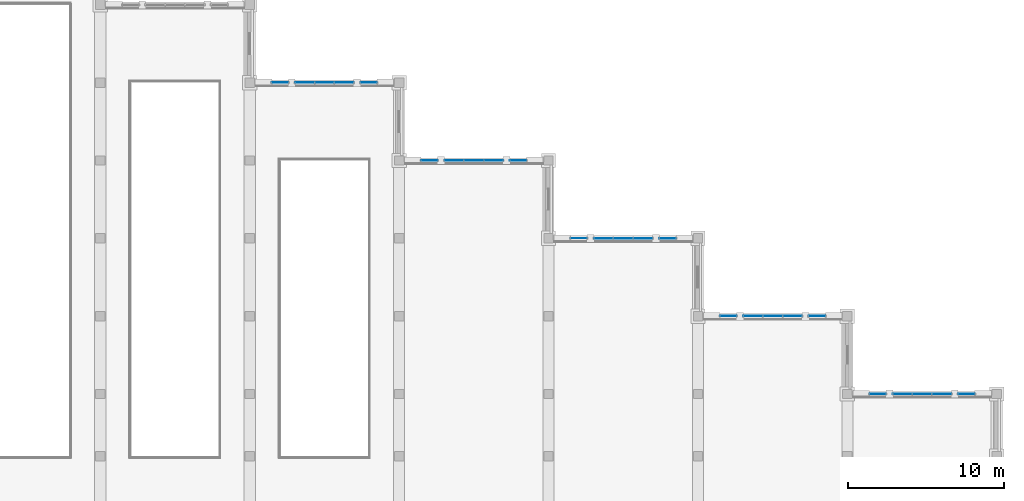
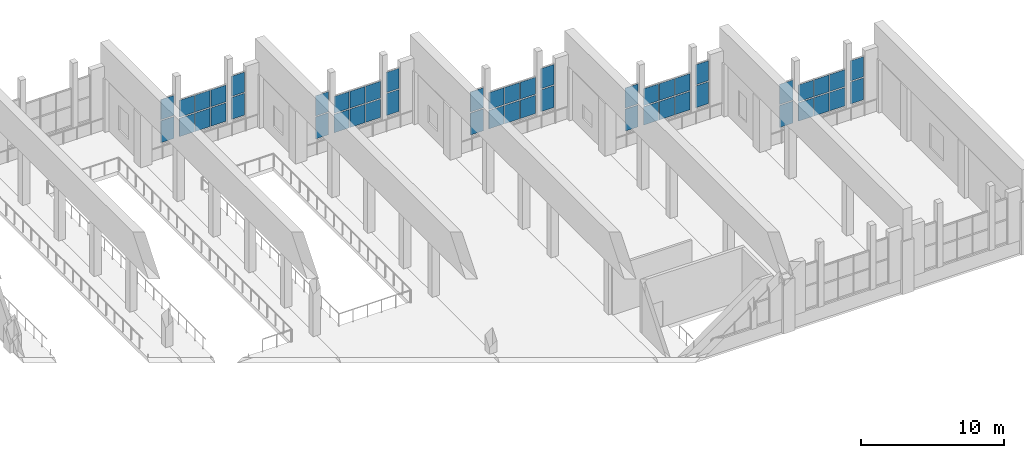
# One storey, part 25 of 46: 50 plates, 15 elements without a shape of their own.
"""IFC4 building model written with IfcOpenShell, lengths in metres."""

from ifc_helpers import new_model, si_unit, direction, frame, origin, origin_2d, place, context, subcontext, project, spatial, rectangle, extrude, material, layer, layer_set, type_object, element, aggregate, save


model = new_model("IFC4")

# Units and contexts
model_context = context("Model", 3, precision=1e-05, world=origin(), true_north=direction((0.0, 1.0)))
body_context = subcontext(model_context, "Body", "Model", "MODEL_VIEW")
ifc_project = project(units=[si_unit("LENGTHUNIT", "METRE"), si_unit("AREAUNIT", "SQUARE_METRE"), si_unit("VOLUMEUNIT", "CUBIC_METRE"), si_unit("PLANEANGLEUNIT", "RADIAN"), si_unit("MASSUNIT", "GRAM", prefix="KILO")], contexts=[model_context])

# Site, building, storey
site_placement = place(None, origin())
site = spatial("IfcSite", under=ifc_project, at=site_placement, CompositionType="ELEMENT")
building_placement = place(site_placement, origin())
building = spatial("IfcBuilding", under=site, at=building_placement, Name="Mavantir Sound Aquarium", CompositionType="ELEMENT")
storey_placement = place(building_placement, frame((0.0, 0.0, 15.300048828125)))
storey = spatial("IfcBuildingStorey", under=building, at=storey_placement, Name="L03", CompositionType="ELEMENT", Elevation=15.300048828125)

# Curtain wall, plates
ifc_material_1 = material(Name="Anodised Marine Aluminium and Low-E Glass", Category="aluminium")
curtain_wall_type_1 = type_object("IfcCurtainWallType", Name="CW-T14", PredefinedType="USERDEFINED", material=ifc_material_1)
curtain_wall_1_placement = place(storey_placement, origin())
curtain_wall_1 = element("IfcCurtainWall", 1, at=curtain_wall_1_placement, inside=storey, type_object=curtain_wall_type_1, Name="L03 unitised curtain wall CW-14 157", ObjectType="UNITISED GLAZING", PredefinedType="USERDEFINED")
ifc_material_2 = material(Name="Solar-Control Laminated Low-E Glass", Category="glass")
ifc_layer_1 = layer(ifc_material_2, 0.028076171875, Name="Solar-Control Laminated Low-E Glass")
ifc_layer_set_1 = layer_set([ifc_layer_1], Name="Solar-Control Laminated Low-E Glass")
plate_type_1 = type_object("IfcPlateType", Name="CW-PNL-28", PredefinedType="CURTAIN_PANEL", material=ifc_layer_set_1)
plate_1_placement = place(storey_placement, frame((129.14990234375, 80.800048828125, 1.222900390625), z_axis=(0.0, 0.0, 1.0), x_axis=(1.0, 0.0, 0.0)))
plate_1 = element("IfcPlate", 2, at=plate_1_placement, type_object=plate_type_1, Name="CW-DIOC-3N-L glazed curtain panel 1.1", PredefinedType="CURTAIN_PANEL", context=body_context, shape_type="SweptSolid", body=[
    extrude(rectangle(XDim=1.052001953125, YDim=0.028076171875, at=origin_2d()), origin(), (0.0, 0.0, 1.0), 1.86669921875),
])
plate_2_placement = place(storey_placement, frame((129.14990234375, 80.800048828125, 3.185546875), z_axis=(0.0, 0.0, 1.0), x_axis=(1.0, 0.0, 0.0)))
plate_2 = element("IfcPlate", 3, at=plate_2_placement, type_object=plate_type_1, Name="CW-DIOC-3N-L glazed curtain panel 1.2", PredefinedType="CURTAIN_PANEL", context=body_context, shape_type="SweptSolid", body=[
    extrude(rectangle(XDim=1.052001953125, YDim=0.028076171875, at=origin_2d()), origin(), (0.0, 0.0, 1.0), 1.71142578125),
])
aggregate(curtain_wall_1, [plate_1, plate_2])

curtain_wall_type_2 = type_object("IfcCurtainWallType", Name="CW-T20", PredefinedType="USERDEFINED", material=ifc_material_1)
curtain_wall_2_placement = place(storey_placement, origin())
curtain_wall_2 = element("IfcCurtainWall", 4, at=curtain_wall_2_placement, inside=storey, type_object=curtain_wall_type_2, Name="L03 unitised curtain wall CW-20 163", ObjectType="UNITISED GLAZING", PredefinedType="USERDEFINED")
plate_3_placement = place(storey_placement, frame((138.75, 75.800048828125, 1.222900390625), z_axis=(0.0, 0.0, 1.0), x_axis=(1.0, 0.0, 0.0)))
plate_3 = element("IfcPlate", 5, at=plate_3_placement, type_object=plate_type_1, Name="CW-DIOC-4N-L glazed curtain panel 1.1", PredefinedType="CURTAIN_PANEL", context=body_context, shape_type="SweptSolid", body=[
    extrude(rectangle(XDim=1.052001953125, YDim=0.028076171875, at=origin_2d()), origin(), (0.0, 0.0, 1.0), 1.86669921875),
])
plate_4_placement = place(storey_placement, frame((138.75, 75.800048828125, 3.185546875), z_axis=(0.0, 0.0, 1.0), x_axis=(1.0, 0.0, 0.0)))
plate_4 = element("IfcPlate", 6, at=plate_4_placement, type_object=plate_type_1, Name="CW-DIOC-4N-L glazed curtain panel 1.2", PredefinedType="CURTAIN_PANEL", context=body_context, shape_type="SweptSolid", body=[
    extrude(rectangle(XDim=1.052001953125, YDim=0.028076171875, at=origin_2d()), origin(), (0.0, 0.0, 1.0), 1.71142578125),
])
aggregate(curtain_wall_2, [plate_3, plate_4])

curtain_wall_type_3 = type_object("IfcCurtainWallType", Name="CW-T02", PredefinedType="USERDEFINED", material=ifc_material_1)
curtain_wall_3_placement = place(storey_placement, origin())
curtain_wall_3 = element("IfcCurtainWall", 7, at=curtain_wall_3_placement, inside=storey, type_object=curtain_wall_type_3, Name="L03 unitised curtain wall CW-02 169", ObjectType="UNITISED GLAZING", PredefinedType="USERDEFINED")
plate_5_placement = place(storey_placement, frame((148.35009765625, 70.800048828125, 1.222900390625), z_axis=(0.0, 0.0, 1.0), x_axis=(1.0, 0.0, 0.0)))
plate_5 = element("IfcPlate", 8, at=plate_5_placement, type_object=plate_type_1, Name="CW-DIOC-5N-L glazed curtain panel 1.1", PredefinedType="CURTAIN_PANEL", context=body_context, shape_type="SweptSolid", body=[
    extrude(rectangle(XDim=1.052001953125, YDim=0.028076171875, at=origin_2d()), origin(), (0.0, 0.0, 1.0), 1.86669921875),
])
plate_6_placement = place(storey_placement, frame((148.35009765625, 70.800048828125, 3.185546875), z_axis=(0.0, 0.0, 1.0), x_axis=(1.0, 0.0, 0.0)))
plate_6 = element("IfcPlate", 9, at=plate_6_placement, type_object=plate_type_1, Name="CW-DIOC-5N-L glazed curtain panel 1.2", PredefinedType="CURTAIN_PANEL", context=body_context, shape_type="SweptSolid", body=[
    extrude(rectangle(XDim=1.052001953125, YDim=0.028076171875, at=origin_2d()), origin(), (0.0, 0.0, 1.0), 1.71142578125),
])
aggregate(curtain_wall_3, [plate_5, plate_6])

curtain_wall_type_4 = type_object("IfcCurtainWallType", Name="CW-T08", PredefinedType="USERDEFINED", material=ifc_material_1)
curtain_wall_4_placement = place(storey_placement, origin())
curtain_wall_4 = element("IfcCurtainWall", 10, at=curtain_wall_4_placement, inside=storey, type_object=curtain_wall_type_4, Name="L03 unitised curtain wall CW-08 175", ObjectType="UNITISED GLAZING", PredefinedType="USERDEFINED")
plate_7_placement = place(storey_placement, frame((157.949951171875, 65.800048828125, 1.222900390625), z_axis=(0.0, 0.0, 1.0), x_axis=(1.0, 0.0, 0.0)))
plate_7 = element("IfcPlate", 11, at=plate_7_placement, type_object=plate_type_1, Name="CW-DIOC-6N-L glazed curtain panel 1.1", PredefinedType="CURTAIN_PANEL", context=body_context, shape_type="SweptSolid", body=[
    extrude(rectangle(XDim=1.052001953125, YDim=0.028076171875, at=origin_2d()), origin(), (0.0, 0.0, 1.0), 1.86669921875),
])
plate_8_placement = place(storey_placement, frame((157.949951171875, 65.800048828125, 3.185546875), z_axis=(0.0, 0.0, 1.0), x_axis=(1.0, 0.0, 0.0)))
plate_8 = element("IfcPlate", 12, at=plate_8_placement, type_object=plate_type_1, Name="CW-DIOC-6N-L glazed curtain panel 1.2", PredefinedType="CURTAIN_PANEL", context=body_context, shape_type="SweptSolid", body=[
    extrude(rectangle(XDim=1.052001953125, YDim=0.028076171875, at=origin_2d()), origin(), (0.0, 0.0, 1.0), 1.71142578125),
])
aggregate(curtain_wall_4, [plate_7, plate_8])

curtain_wall_5_placement = place(storey_placement, origin())
curtain_wall_5 = element("IfcCurtainWall", 13, at=curtain_wall_5_placement, inside=storey, type_object=curtain_wall_type_1, Name="L03 unitised curtain wall CW-14 181", ObjectType="UNITISED GLAZING", PredefinedType="USERDEFINED")
plate_9_placement = place(storey_placement, frame((167.550048828125, 60.800048828125, 1.222900390625), z_axis=(0.0, 0.0, 1.0), x_axis=(1.0, 0.0, 0.0)))
plate_9 = element("IfcPlate", 14, at=plate_9_placement, type_object=plate_type_1, Name="CW-DIOC-7N-L glazed curtain panel 1.1", PredefinedType="CURTAIN_PANEL", context=body_context, shape_type="SweptSolid", body=[
    extrude(rectangle(XDim=1.052001953125, YDim=0.028076171875, at=origin_2d()), origin(), (0.0, 0.0, 1.0), 1.86669921875),
])
plate_10_placement = place(storey_placement, frame((167.550048828125, 60.800048828125, 3.185546875), z_axis=(0.0, 0.0, 1.0), x_axis=(1.0, 0.0, 0.0)))
plate_10 = element("IfcPlate", 15, at=plate_10_placement, type_object=plate_type_1, Name="CW-DIOC-7N-L glazed curtain panel 1.2", PredefinedType="CURTAIN_PANEL", context=body_context, shape_type="SweptSolid", body=[
    extrude(rectangle(XDim=1.052001953125, YDim=0.028076171875, at=origin_2d()), origin(), (0.0, 0.0, 1.0), 1.71142578125),
])
aggregate(curtain_wall_5, [plate_9, plate_10])

curtain_wall_type_5 = type_object("IfcCurtainWallType", Name="CW-T13", PredefinedType="USERDEFINED", material=ifc_material_1)
curtain_wall_6_placement = place(storey_placement, origin())
curtain_wall_6 = element("IfcCurtainWall", 16, at=curtain_wall_6_placement, inside=storey, type_object=curtain_wall_type_5, Name="L03 unitised curtain wall CW-13 156", ObjectType="UNITISED GLAZING", PredefinedType="USERDEFINED")
ifc_layer_2 = layer(ifc_material_2, 0.031982421875, Name="Solar-Control Laminated Low-E Glass")
ifc_layer_set_2 = layer_set([ifc_layer_2], Name="Solar-Control Laminated Low-E Glass")
plate_type_2 = type_object("IfcPlateType", Name="CW-PNL-32", PredefinedType="CURTAIN_PANEL", material=ifc_layer_set_2)
plate_11_placement = place(storey_placement, frame((130.7333984375, 80.800048828125, 1.222900390625), z_axis=(0.0, 0.0, 1.0), x_axis=(1.0, 0.0, 0.0)))
plate_11 = element("IfcPlate", 17, at=plate_11_placement, type_object=plate_type_2, Name="CW-DIOC-3N-C glazed curtain panel 1.1", PredefinedType="CURTAIN_PANEL", context=body_context, shape_type="SweptSolid", body=[
    extrude(rectangle(XDim=1.21875, YDim=0.031982421875, at=origin_2d()), origin(), (0.0, 0.0, 1.0), 1.56494140625),
])
plate_12_placement = place(storey_placement, frame((130.7333984375, 80.800048828125, 2.8837890625), z_axis=(0.0, 0.0, 1.0), x_axis=(1.0, 0.0, 0.0)))
plate_12 = element("IfcPlate", 18, at=plate_12_placement, type_object=plate_type_2, Name="CW-DIOC-3N-C glazed curtain panel 1.2", PredefinedType="CURTAIN_PANEL", context=body_context, shape_type="SweptSolid", body=[
    extrude(rectangle(XDim=1.21875, YDim=0.031982421875, at=origin_2d()), origin(), (0.0, 0.0, 1.0), 1.43310546875),
])
plate_13_placement = place(storey_placement, frame((132.0, 80.800048828125, 1.222900390625), z_axis=(0.0, 0.0, 1.0), x_axis=(1.0, 0.0, 0.0)))
plate_13 = element("IfcPlate", 19, at=plate_13_placement, type_object=plate_type_2, Name="CW-DIOC-3N-C glazed curtain panel 2.1", PredefinedType="CURTAIN_PANEL", context=body_context, shape_type="SweptSolid", body=[
    extrude(rectangle(XDim=1.21875, YDim=0.031982421875, at=origin_2d()), origin(), (0.0, 0.0, 1.0), 1.56494140625),
])
plate_14_placement = place(storey_placement, frame((132.0, 80.800048828125, 2.8837890625), z_axis=(0.0, 0.0, 1.0), x_axis=(1.0, 0.0, 0.0)))
plate_14 = element("IfcPlate", 20, at=plate_14_placement, type_object=plate_type_2, Name="CW-DIOC-3N-C glazed curtain panel 2.2", PredefinedType="CURTAIN_PANEL", context=body_context, shape_type="SweptSolid", body=[
    extrude(rectangle(XDim=1.21875, YDim=0.031982421875, at=origin_2d()), origin(), (0.0, 0.0, 1.0), 1.43310546875),
])
plate_15_placement = place(storey_placement, frame((133.2666015625, 80.800048828125, 1.222900390625), z_axis=(0.0, 0.0, 1.0), x_axis=(1.0, 0.0, 0.0)))
plate_15 = element("IfcPlate", 21, at=plate_15_placement, type_object=plate_type_2, Name="CW-DIOC-3N-C glazed curtain panel 3.1", PredefinedType="CURTAIN_PANEL", context=body_context, shape_type="SweptSolid", body=[
    extrude(rectangle(XDim=1.21875, YDim=0.031982421875, at=origin_2d()), origin(), (0.0, 0.0, 1.0), 1.56494140625),
])
plate_16_placement = place(storey_placement, frame((133.2666015625, 80.800048828125, 2.8837890625), z_axis=(0.0, 0.0, 1.0), x_axis=(1.0, 0.0, 0.0)))
plate_16 = element("IfcPlate", 22, at=plate_16_placement, type_object=plate_type_2, Name="CW-DIOC-3N-C glazed curtain panel 3.2", PredefinedType="CURTAIN_PANEL", context=body_context, shape_type="SweptSolid", body=[
    extrude(rectangle(XDim=1.21875, YDim=0.031982421875, at=origin_2d()), origin(), (0.0, 0.0, 1.0), 1.43310546875),
])
aggregate(curtain_wall_6, [plate_11, plate_12, plate_13, plate_14, plate_15, plate_16])

curtain_wall_type_6 = type_object("IfcCurtainWallType", Name="CW-T15", PredefinedType="USERDEFINED", material=ifc_material_1)
curtain_wall_7_placement = place(storey_placement, origin())
curtain_wall_7 = element("IfcCurtainWall", 23, at=curtain_wall_7_placement, inside=storey, type_object=curtain_wall_type_6, Name="L03 unitised curtain wall CW-15 158", ObjectType="UNITISED GLAZING", PredefinedType="USERDEFINED")
plate_17_placement = place(storey_placement, frame((134.85009765625, 80.800048828125, 1.222900390625), z_axis=(0.0, 0.0, 1.0), x_axis=(1.0, 0.0, 0.0)))
plate_17 = element("IfcPlate", 24, at=plate_17_placement, type_object=plate_type_2, Name="CW-DIOC-3N-R glazed curtain panel 1.1", PredefinedType="CURTAIN_PANEL", context=body_context, shape_type="SweptSolid", body=[
    extrude(rectangle(XDim=1.052001953125, YDim=0.031982421875, at=origin_2d()), origin(), (0.0, 0.0, 1.0), 1.86669921875),
])
plate_18_placement = place(storey_placement, frame((134.85009765625, 80.800048828125, 3.185546875), z_axis=(0.0, 0.0, 1.0), x_axis=(1.0, 0.0, 0.0)))
plate_18 = element("IfcPlate", 25, at=plate_18_placement, type_object=plate_type_2, Name="CW-DIOC-3N-R glazed curtain panel 1.2", PredefinedType="CURTAIN_PANEL", context=body_context, shape_type="SweptSolid", body=[
    extrude(rectangle(XDim=1.052001953125, YDim=0.031982421875, at=origin_2d()), origin(), (0.0, 0.0, 1.0), 1.71142578125),
])
aggregate(curtain_wall_7, [plate_17, plate_18])

curtain_wall_type_7 = type_object("IfcCurtainWallType", Name="CW-T19", PredefinedType="USERDEFINED", material=ifc_material_1)
curtain_wall_8_placement = place(storey_placement, origin())
curtain_wall_8 = element("IfcCurtainWall", 26, at=curtain_wall_8_placement, inside=storey, type_object=curtain_wall_type_7, Name="L03 unitised curtain wall CW-19 162", ObjectType="UNITISED GLAZING", PredefinedType="USERDEFINED")
plate_19_placement = place(storey_placement, frame((140.333251953125, 75.800048828125, 1.222900390625), z_axis=(0.0, 0.0, 1.0), x_axis=(1.0, 0.0, 0.0)))
plate_19 = element("IfcPlate", 27, at=plate_19_placement, type_object=plate_type_2, Name="CW-DIOC-4N-C glazed curtain panel 1.1", PredefinedType="CURTAIN_PANEL", context=body_context, shape_type="SweptSolid", body=[
    extrude(rectangle(XDim=1.21875, YDim=0.031982421875, at=origin_2d()), origin(), (0.0, 0.0, 1.0), 1.56494140625),
])
plate_20_placement = place(storey_placement, frame((140.333251953125, 75.800048828125, 2.8837890625), z_axis=(0.0, 0.0, 1.0), x_axis=(1.0, 0.0, 0.0)))
plate_20 = element("IfcPlate", 28, at=plate_20_placement, type_object=plate_type_2, Name="CW-DIOC-4N-C glazed curtain panel 1.2", PredefinedType="CURTAIN_PANEL", context=body_context, shape_type="SweptSolid", body=[
    extrude(rectangle(XDim=1.21875, YDim=0.031982421875, at=origin_2d()), origin(), (0.0, 0.0, 1.0), 1.43310546875),
])
plate_21_placement = place(storey_placement, frame((141.60009765625, 75.800048828125, 1.222900390625), z_axis=(0.0, 0.0, 1.0), x_axis=(1.0, 0.0, 0.0)))
plate_21 = element("IfcPlate", 29, at=plate_21_placement, type_object=plate_type_2, Name="CW-DIOC-4N-C glazed curtain panel 2.1", PredefinedType="CURTAIN_PANEL", context=body_context, shape_type="SweptSolid", body=[
    extrude(rectangle(XDim=1.21875, YDim=0.031982421875, at=origin_2d()), origin(), (0.0, 0.0, 1.0), 1.56494140625),
])
plate_22_placement = place(storey_placement, frame((141.60009765625, 75.800048828125, 2.8837890625), z_axis=(0.0, 0.0, 1.0), x_axis=(1.0, 0.0, 0.0)))
plate_22 = element("IfcPlate", 30, at=plate_22_placement, type_object=plate_type_2, Name="CW-DIOC-4N-C glazed curtain panel 2.2", PredefinedType="CURTAIN_PANEL", context=body_context, shape_type="SweptSolid", body=[
    extrude(rectangle(XDim=1.21875, YDim=0.031982421875, at=origin_2d()), origin(), (0.0, 0.0, 1.0), 1.43310546875),
])
plate_23_placement = place(storey_placement, frame((142.86669921875, 75.800048828125, 1.222900390625), z_axis=(0.0, 0.0, 1.0), x_axis=(1.0, 0.0, 0.0)))
plate_23 = element("IfcPlate", 31, at=plate_23_placement, type_object=plate_type_2, Name="CW-DIOC-4N-C glazed curtain panel 3.1", PredefinedType="CURTAIN_PANEL", context=body_context, shape_type="SweptSolid", body=[
    extrude(rectangle(XDim=1.21875, YDim=0.031982421875, at=origin_2d()), origin(), (0.0, 0.0, 1.0), 1.56494140625),
])
plate_24_placement = place(storey_placement, frame((142.86669921875, 75.800048828125, 2.8837890625), z_axis=(0.0, 0.0, 1.0), x_axis=(1.0, 0.0, 0.0)))
plate_24 = element("IfcPlate", 32, at=plate_24_placement, type_object=plate_type_2, Name="CW-DIOC-4N-C glazed curtain panel 3.2", PredefinedType="CURTAIN_PANEL", context=body_context, shape_type="SweptSolid", body=[
    extrude(rectangle(XDim=1.21875, YDim=0.031982421875, at=origin_2d()), origin(), (0.0, 0.0, 1.0), 1.43310546875),
])
aggregate(curtain_wall_8, [plate_19, plate_20, plate_21, plate_22, plate_23, plate_24])

curtain_wall_type_8 = type_object("IfcCurtainWallType", Name="CW-T21", PredefinedType="USERDEFINED", material=ifc_material_1)
curtain_wall_9_placement = place(storey_placement, origin())
curtain_wall_9 = element("IfcCurtainWall", 33, at=curtain_wall_9_placement, inside=storey, type_object=curtain_wall_type_8, Name="L03 unitised curtain wall CW-21 164", ObjectType="UNITISED GLAZING", PredefinedType="USERDEFINED")
plate_25_placement = place(storey_placement, frame((144.449951171875, 75.800048828125, 1.222900390625), z_axis=(0.0, 0.0, 1.0), x_axis=(1.0, 0.0, 0.0)))
plate_25 = element("IfcPlate", 34, at=plate_25_placement, type_object=plate_type_2, Name="CW-DIOC-4N-R glazed curtain panel 1.1", PredefinedType="CURTAIN_PANEL", context=body_context, shape_type="SweptSolid", body=[
    extrude(rectangle(XDim=1.052001953125, YDim=0.031982421875, at=origin_2d()), origin(), (0.0, 0.0, 1.0), 1.86669921875),
])
plate_26_placement = place(storey_placement, frame((144.449951171875, 75.800048828125, 3.185546875), z_axis=(0.0, 0.0, 1.0), x_axis=(1.0, 0.0, 0.0)))
plate_26 = element("IfcPlate", 35, at=plate_26_placement, type_object=plate_type_2, Name="CW-DIOC-4N-R glazed curtain panel 1.2", PredefinedType="CURTAIN_PANEL", context=body_context, shape_type="SweptSolid", body=[
    extrude(rectangle(XDim=1.052001953125, YDim=0.031982421875, at=origin_2d()), origin(), (0.0, 0.0, 1.0), 1.71142578125),
])
aggregate(curtain_wall_9, [plate_25, plate_26])

curtain_wall_type_9 = type_object("IfcCurtainWallType", Name="CW-T01", PredefinedType="USERDEFINED", material=ifc_material_1)
curtain_wall_10_placement = place(storey_placement, origin())
curtain_wall_10 = element("IfcCurtainWall", 36, at=curtain_wall_10_placement, inside=storey, type_object=curtain_wall_type_9, Name="L03 unitised curtain wall CW-01 168", ObjectType="UNITISED GLAZING", PredefinedType="USERDEFINED")
plate_27_placement = place(storey_placement, frame((149.933349609375, 70.800048828125, 1.222900390625), z_axis=(0.0, 0.0, 1.0), x_axis=(1.0, 0.0, 0.0)))
plate_27 = element("IfcPlate", 37, at=plate_27_placement, type_object=plate_type_2, Name="CW-DIOC-5N-C glazed curtain panel 1.1", PredefinedType="CURTAIN_PANEL", context=body_context, shape_type="SweptSolid", body=[
    extrude(rectangle(XDim=1.21875, YDim=0.031982421875, at=origin_2d()), origin(), (0.0, 0.0, 1.0), 1.56494140625),
])
plate_28_placement = place(storey_placement, frame((149.933349609375, 70.800048828125, 2.8837890625), z_axis=(0.0, 0.0, 1.0), x_axis=(1.0, 0.0, 0.0)))
plate_28 = element("IfcPlate", 38, at=plate_28_placement, type_object=plate_type_2, Name="CW-DIOC-5N-C glazed curtain panel 1.2", PredefinedType="CURTAIN_PANEL", context=body_context, shape_type="SweptSolid", body=[
    extrude(rectangle(XDim=1.21875, YDim=0.031982421875, at=origin_2d()), origin(), (0.0, 0.0, 1.0), 1.43310546875),
])
plate_29_placement = place(storey_placement, frame((151.199951171875, 70.800048828125, 1.222900390625), z_axis=(0.0, 0.0, 1.0), x_axis=(1.0, 0.0, 0.0)))
plate_29 = element("IfcPlate", 39, at=plate_29_placement, type_object=plate_type_2, Name="CW-DIOC-5N-C glazed curtain panel 2.1", PredefinedType="CURTAIN_PANEL", context=body_context, shape_type="SweptSolid", body=[
    extrude(rectangle(XDim=1.21875, YDim=0.031982421875, at=origin_2d()), origin(), (0.0, 0.0, 1.0), 1.56494140625),
])
plate_30_placement = place(storey_placement, frame((151.199951171875, 70.800048828125, 2.8837890625), z_axis=(0.0, 0.0, 1.0), x_axis=(1.0, 0.0, 0.0)))
plate_30 = element("IfcPlate", 40, at=plate_30_placement, type_object=plate_type_2, Name="CW-DIOC-5N-C glazed curtain panel 2.2", PredefinedType="CURTAIN_PANEL", context=body_context, shape_type="SweptSolid", body=[
    extrude(rectangle(XDim=1.21875, YDim=0.031982421875, at=origin_2d()), origin(), (0.0, 0.0, 1.0), 1.43310546875),
])
plate_31_placement = place(storey_placement, frame((152.466796875, 70.800048828125, 1.222900390625), z_axis=(0.0, 0.0, 1.0), x_axis=(1.0, 0.0, 0.0)))
plate_31 = element("IfcPlate", 41, at=plate_31_placement, type_object=plate_type_2, Name="CW-DIOC-5N-C glazed curtain panel 3.1", PredefinedType="CURTAIN_PANEL", context=body_context, shape_type="SweptSolid", body=[
    extrude(rectangle(XDim=1.21875, YDim=0.031982421875, at=origin_2d()), origin(), (0.0, 0.0, 1.0), 1.56494140625),
])
plate_32_placement = place(storey_placement, frame((152.466796875, 70.800048828125, 2.8837890625), z_axis=(0.0, 0.0, 1.0), x_axis=(1.0, 0.0, 0.0)))
plate_32 = element("IfcPlate", 42, at=plate_32_placement, type_object=plate_type_2, Name="CW-DIOC-5N-C glazed curtain panel 3.2", PredefinedType="CURTAIN_PANEL", context=body_context, shape_type="SweptSolid", body=[
    extrude(rectangle(XDim=1.21875, YDim=0.031982421875, at=origin_2d()), origin(), (0.0, 0.0, 1.0), 1.43310546875),
])
aggregate(curtain_wall_10, [plate_27, plate_28, plate_29, plate_30, plate_31, plate_32])

curtain_wall_type_10 = type_object("IfcCurtainWallType", Name="CW-T03", PredefinedType="USERDEFINED", material=ifc_material_1)
curtain_wall_11_placement = place(storey_placement, origin())
curtain_wall_11 = element("IfcCurtainWall", 43, at=curtain_wall_11_placement, inside=storey, type_object=curtain_wall_type_10, Name="L03 unitised curtain wall CW-03 170", ObjectType="UNITISED GLAZING", PredefinedType="USERDEFINED")
plate_33_placement = place(storey_placement, frame((154.050048828125, 70.800048828125, 1.222900390625), z_axis=(0.0, 0.0, 1.0), x_axis=(1.0, 0.0, 0.0)))
plate_33 = element("IfcPlate", 44, at=plate_33_placement, type_object=plate_type_2, Name="CW-DIOC-5N-R glazed curtain panel 1.1", PredefinedType="CURTAIN_PANEL", context=body_context, shape_type="SweptSolid", body=[
    extrude(rectangle(XDim=1.052001953125, YDim=0.031982421875, at=origin_2d()), origin(), (0.0, 0.0, 1.0), 1.86669921875),
])
plate_34_placement = place(storey_placement, frame((154.050048828125, 70.800048828125, 3.185546875), z_axis=(0.0, 0.0, 1.0), x_axis=(1.0, 0.0, 0.0)))
plate_34 = element("IfcPlate", 45, at=plate_34_placement, type_object=plate_type_2, Name="CW-DIOC-5N-R glazed curtain panel 1.2", PredefinedType="CURTAIN_PANEL", context=body_context, shape_type="SweptSolid", body=[
    extrude(rectangle(XDim=1.052001953125, YDim=0.031982421875, at=origin_2d()), origin(), (0.0, 0.0, 1.0), 1.71142578125),
])
aggregate(curtain_wall_11, [plate_33, plate_34])

curtain_wall_type_11 = type_object("IfcCurtainWallType", Name="CW-T07", PredefinedType="USERDEFINED", material=ifc_material_1)
curtain_wall_12_placement = place(storey_placement, origin())
curtain_wall_12 = element("IfcCurtainWall", 46, at=curtain_wall_12_placement, inside=storey, type_object=curtain_wall_type_11, Name="L03 unitised curtain wall CW-07 174", ObjectType="UNITISED GLAZING", PredefinedType="USERDEFINED")
plate_35_placement = place(storey_placement, frame((159.533203125, 65.800048828125, 1.222900390625), z_axis=(0.0, 0.0, 1.0), x_axis=(1.0, 0.0, 0.0)))
plate_35 = element("IfcPlate", 47, at=plate_35_placement, type_object=plate_type_2, Name="CW-DIOC-6N-C glazed curtain panel 1.1", PredefinedType="CURTAIN_PANEL", context=body_context, shape_type="SweptSolid", body=[
    extrude(rectangle(XDim=1.21875, YDim=0.031982421875, at=origin_2d()), origin(), (0.0, 0.0, 1.0), 1.56494140625),
])
plate_36_placement = place(storey_placement, frame((159.533203125, 65.800048828125, 2.8837890625), z_axis=(0.0, 0.0, 1.0), x_axis=(1.0, 0.0, 0.0)))
plate_36 = element("IfcPlate", 48, at=plate_36_placement, type_object=plate_type_2, Name="CW-DIOC-6N-C glazed curtain panel 1.2", PredefinedType="CURTAIN_PANEL", context=body_context, shape_type="SweptSolid", body=[
    extrude(rectangle(XDim=1.21875, YDim=0.031982421875, at=origin_2d()), origin(), (0.0, 0.0, 1.0), 1.43310546875),
])
plate_37_placement = place(storey_placement, frame((160.800048828125, 65.800048828125, 1.222900390625), z_axis=(0.0, 0.0, 1.0), x_axis=(1.0, 0.0, 0.0)))
plate_37 = element("IfcPlate", 49, at=plate_37_placement, type_object=plate_type_2, Name="CW-DIOC-6N-C glazed curtain panel 2.1", PredefinedType="CURTAIN_PANEL", context=body_context, shape_type="SweptSolid", body=[
    extrude(rectangle(XDim=1.21875, YDim=0.031982421875, at=origin_2d()), origin(), (0.0, 0.0, 1.0), 1.56494140625),
])
plate_38_placement = place(storey_placement, frame((160.800048828125, 65.800048828125, 2.8837890625), z_axis=(0.0, 0.0, 1.0), x_axis=(1.0, 0.0, 0.0)))
plate_38 = element("IfcPlate", 50, at=plate_38_placement, type_object=plate_type_2, Name="CW-DIOC-6N-C glazed curtain panel 2.2", PredefinedType="CURTAIN_PANEL", context=body_context, shape_type="SweptSolid", body=[
    extrude(rectangle(XDim=1.21875, YDim=0.031982421875, at=origin_2d()), origin(), (0.0, 0.0, 1.0), 1.43310546875),
])
plate_39_placement = place(storey_placement, frame((162.066650390625, 65.800048828125, 1.222900390625), z_axis=(0.0, 0.0, 1.0), x_axis=(1.0, 0.0, 0.0)))
plate_39 = element("IfcPlate", 51, at=plate_39_placement, type_object=plate_type_2, Name="CW-DIOC-6N-C glazed curtain panel 3.1", PredefinedType="CURTAIN_PANEL", context=body_context, shape_type="SweptSolid", body=[
    extrude(rectangle(XDim=1.21875, YDim=0.031982421875, at=origin_2d()), origin(), (0.0, 0.0, 1.0), 1.56494140625),
])
plate_40_placement = place(storey_placement, frame((162.066650390625, 65.800048828125, 2.8837890625), z_axis=(0.0, 0.0, 1.0), x_axis=(1.0, 0.0, 0.0)))
plate_40 = element("IfcPlate", 52, at=plate_40_placement, type_object=plate_type_2, Name="CW-DIOC-6N-C glazed curtain panel 3.2", PredefinedType="CURTAIN_PANEL", context=body_context, shape_type="SweptSolid", body=[
    extrude(rectangle(XDim=1.21875, YDim=0.031982421875, at=origin_2d()), origin(), (0.0, 0.0, 1.0), 1.43310546875),
])
aggregate(curtain_wall_12, [plate_35, plate_36, plate_37, plate_38, plate_39, plate_40])

curtain_wall_type_12 = type_object("IfcCurtainWallType", Name="CW-T09", PredefinedType="USERDEFINED", material=ifc_material_1)
curtain_wall_13_placement = place(storey_placement, origin())
curtain_wall_13 = element("IfcCurtainWall", 53, at=curtain_wall_13_placement, inside=storey, type_object=curtain_wall_type_12, Name="L03 unitised curtain wall CW-09 176", ObjectType="UNITISED GLAZING", PredefinedType="USERDEFINED")
plate_41_placement = place(storey_placement, frame((163.64990234375, 65.800048828125, 1.222900390625), z_axis=(0.0, 0.0, 1.0), x_axis=(1.0, 0.0, 0.0)))
plate_41 = element("IfcPlate", 54, at=plate_41_placement, type_object=plate_type_2, Name="CW-DIOC-6N-R glazed curtain panel 1.1", PredefinedType="CURTAIN_PANEL", context=body_context, shape_type="SweptSolid", body=[
    extrude(rectangle(XDim=1.052001953125, YDim=0.031982421875, at=origin_2d()), origin(), (0.0, 0.0, 1.0), 1.86669921875),
])
plate_42_placement = place(storey_placement, frame((163.64990234375, 65.800048828125, 3.185546875), z_axis=(0.0, 0.0, 1.0), x_axis=(1.0, 0.0, 0.0)))
plate_42 = element("IfcPlate", 55, at=plate_42_placement, type_object=plate_type_2, Name="CW-DIOC-6N-R glazed curtain panel 1.2", PredefinedType="CURTAIN_PANEL", context=body_context, shape_type="SweptSolid", body=[
    extrude(rectangle(XDim=1.052001953125, YDim=0.031982421875, at=origin_2d()), origin(), (0.0, 0.0, 1.0), 1.71142578125),
])
aggregate(curtain_wall_13, [plate_41, plate_42])

curtain_wall_14_placement = place(storey_placement, origin())
curtain_wall_14 = element("IfcCurtainWall", 56, at=curtain_wall_14_placement, inside=storey, type_object=curtain_wall_type_5, Name="L03 unitised curtain wall CW-13 180", ObjectType="UNITISED GLAZING", PredefinedType="USERDEFINED")
plate_43_placement = place(storey_placement, frame((169.13330078125, 60.800048828125, 1.222900390625), z_axis=(0.0, 0.0, 1.0), x_axis=(1.0, 0.0, 0.0)))
plate_43 = element("IfcPlate", 57, at=plate_43_placement, type_object=plate_type_2, Name="CW-DIOC-7N-C glazed curtain panel 1.1", PredefinedType="CURTAIN_PANEL", context=body_context, shape_type="SweptSolid", body=[
    extrude(rectangle(XDim=1.21875, YDim=0.031982421875, at=origin_2d()), origin(), (0.0, 0.0, 1.0), 1.56494140625),
])
plate_44_placement = place(storey_placement, frame((169.13330078125, 60.800048828125, 2.8837890625), z_axis=(0.0, 0.0, 1.0), x_axis=(1.0, 0.0, 0.0)))
plate_44 = element("IfcPlate", 58, at=plate_44_placement, type_object=plate_type_2, Name="CW-DIOC-7N-C glazed curtain panel 1.2", PredefinedType="CURTAIN_PANEL", context=body_context, shape_type="SweptSolid", body=[
    extrude(rectangle(XDim=1.21875, YDim=0.031982421875, at=origin_2d()), origin(), (0.0, 0.0, 1.0), 1.43310546875),
])
plate_45_placement = place(storey_placement, frame((170.39990234375, 60.800048828125, 1.222900390625), z_axis=(0.0, 0.0, 1.0), x_axis=(1.0, 0.0, 0.0)))
plate_45 = element("IfcPlate", 59, at=plate_45_placement, type_object=plate_type_2, Name="CW-DIOC-7N-C glazed curtain panel 2.1", PredefinedType="CURTAIN_PANEL", context=body_context, shape_type="SweptSolid", body=[
    extrude(rectangle(XDim=1.21875, YDim=0.031982421875, at=origin_2d()), origin(), (0.0, 0.0, 1.0), 1.56494140625),
])
plate_46_placement = place(storey_placement, frame((170.39990234375, 60.800048828125, 2.8837890625), z_axis=(0.0, 0.0, 1.0), x_axis=(1.0, 0.0, 0.0)))
plate_46 = element("IfcPlate", 60, at=plate_46_placement, type_object=plate_type_2, Name="CW-DIOC-7N-C glazed curtain panel 2.2", PredefinedType="CURTAIN_PANEL", context=body_context, shape_type="SweptSolid", body=[
    extrude(rectangle(XDim=1.21875, YDim=0.031982421875, at=origin_2d()), origin(), (0.0, 0.0, 1.0), 1.43310546875),
])
plate_47_placement = place(storey_placement, frame((171.666748046875, 60.800048828125, 1.222900390625), z_axis=(0.0, 0.0, 1.0), x_axis=(1.0, 0.0, 0.0)))
plate_47 = element("IfcPlate", 61, at=plate_47_placement, type_object=plate_type_2, Name="CW-DIOC-7N-C glazed curtain panel 3.1", PredefinedType="CURTAIN_PANEL", context=body_context, shape_type="SweptSolid", body=[
    extrude(rectangle(XDim=1.21875, YDim=0.031982421875, at=origin_2d()), origin(), (0.0, 0.0, 1.0), 1.56494140625),
])
plate_48_placement = place(storey_placement, frame((171.666748046875, 60.800048828125, 2.8837890625), z_axis=(0.0, 0.0, 1.0), x_axis=(1.0, 0.0, 0.0)))
plate_48 = element("IfcPlate", 62, at=plate_48_placement, type_object=plate_type_2, Name="CW-DIOC-7N-C glazed curtain panel 3.2", PredefinedType="CURTAIN_PANEL", context=body_context, shape_type="SweptSolid", body=[
    extrude(rectangle(XDim=1.21875, YDim=0.031982421875, at=origin_2d()), origin(), (0.0, 0.0, 1.0), 1.43310546875),
])
aggregate(curtain_wall_14, [plate_43, plate_44, plate_45, plate_46, plate_47, plate_48])

curtain_wall_15_placement = place(storey_placement, origin())
curtain_wall_15 = element("IfcCurtainWall", 63, at=curtain_wall_15_placement, inside=storey, type_object=curtain_wall_type_6, Name="L03 unitised curtain wall CW-15 182", ObjectType="UNITISED GLAZING", PredefinedType="USERDEFINED")
plate_49_placement = place(storey_placement, frame((173.25, 60.800048828125, 1.222900390625), z_axis=(0.0, 0.0, 1.0), x_axis=(1.0, 0.0, 0.0)))
plate_49 = element("IfcPlate", 64, at=plate_49_placement, type_object=plate_type_2, Name="CW-DIOC-7N-R glazed curtain panel 1.1", PredefinedType="CURTAIN_PANEL", context=body_context, shape_type="SweptSolid", body=[
    extrude(rectangle(XDim=1.052001953125, YDim=0.031982421875, at=origin_2d()), origin(), (0.0, 0.0, 1.0), 1.86669921875),
])
plate_50_placement = place(storey_placement, frame((173.25, 60.800048828125, 3.185546875), z_axis=(0.0, 0.0, 1.0), x_axis=(1.0, 0.0, 0.0)))
plate_50 = element("IfcPlate", 65, at=plate_50_placement, type_object=plate_type_2, Name="CW-DIOC-7N-R glazed curtain panel 1.2", PredefinedType="CURTAIN_PANEL", context=body_context, shape_type="SweptSolid", body=[
    extrude(rectangle(XDim=1.052001953125, YDim=0.031982421875, at=origin_2d()), origin(), (0.0, 0.0, 1.0), 1.71142578125),
])
aggregate(curtain_wall_15, [plate_49, plate_50])

save(model, "model.ifc")
